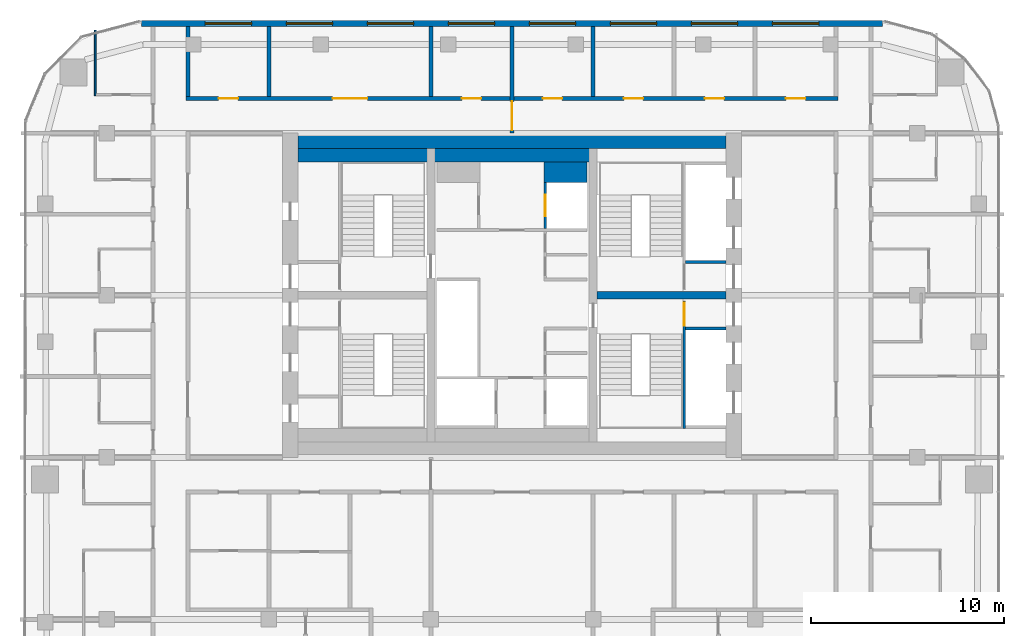
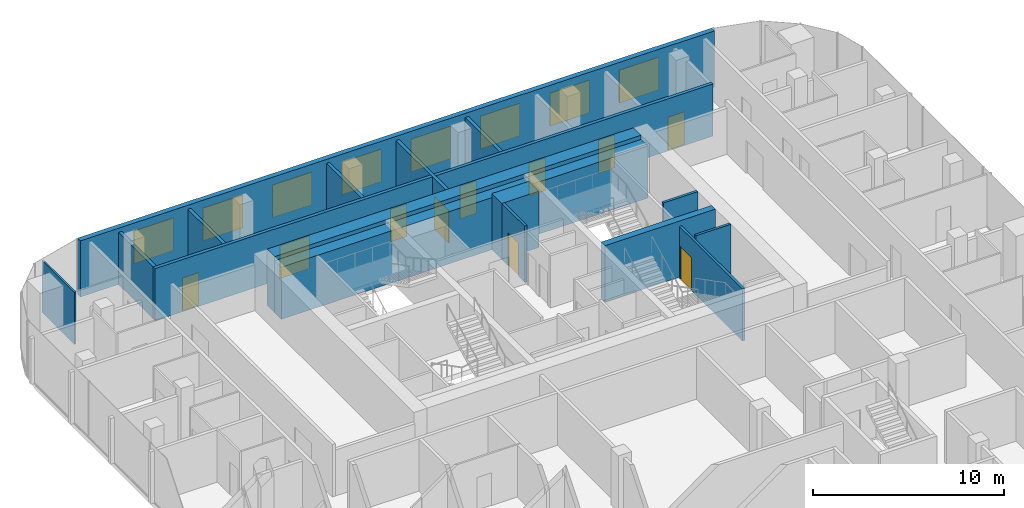
# One storey, part 19 of 22: 16 walls, 10 doors, 8 windows, 18 openings.
"""IFC4 building model written with IfcOpenShell, lengths in metres."""

import ifcopenshell
import ifcopenshell.guid

model = None  # the IFC model being written
_history = None  # IfcOwnerHistory: only IFC2X3 demands one
_inside = {}  # id of a spatial element -> (the spatial element, [elements in it])
_under = {}  # id of a project, library or spatial element -> (it, [spatial elements below it])
_declared = {}  # id of a project -> (the project, [libraries it declares])
_typed = {}  # id of a type object -> (the type object, [elements of that type])
_made_of = {}  # id of a material, layer set ... -> (it, [elements and type objects made of it])


def new_model(schema):
    """Start an empty IFC model of exactly this schema.

    Asked for "IFC4X3", IfcOpenShell would pick the latest addendum, in which some entities
    have other attributes; the version numbers below select the first issue.
    IFC2X3 requires an IfcOwnerHistory on every rooted entity: one is made here for all.
    """
    global model, _history
    if schema == "IFC4X3":
        model = ifcopenshell.file(schema_version=(4, 3, 0, 0))
    else:
        model = ifcopenshell.file(schema=schema)
    _inside.clear()
    _under.clear()
    _declared.clear()
    _typed.clear()
    _made_of.clear()
    _history = None
    if model.schema == "IFC2X3":
        org = make("IfcOrganization", Name="unknown")
        user = make(
            "IfcPersonAndOrganization",
            ThePerson=make("IfcPerson", FamilyName="unknown"),
            TheOrganization=org,
        )
        app = make(
            "IfcApplication",
            ApplicationDeveloper=org,
            Version="unknown",
            ApplicationFullName="unknown",
            ApplicationIdentifier="unknown",
        )
        _history = make(
            "IfcOwnerHistory",
            OwningUser=user,
            OwningApplication=app,
            ChangeAction="ADDED",
            CreationDate=0,
        )
    return model


def make(cls, **values):
    """One entity of the class cls with the attributes given. An attribute that is None is left unset."""
    return model.create_entity(
        cls, **{name: value for name, value in values.items() if value is not None}
    )


def rooted(cls, **values):
    """An entity with a GlobalId (a new one), such as an element, a storey or a relation."""
    return make(cls, GlobalId=ifcopenshell.guid.new(), OwnerHistory=_history, **values)


def si_unit(unit_type, name, prefix=None):
    """IfcSIUnit, for example si_unit("LENGTHUNIT", "METRE", prefix="MILLI")."""
    return make("IfcSIUnit", UnitType=unit_type, Prefix=prefix, Name=name)


def assignment(units):
    """IfcUnitAssignment: the units of a project."""
    return None if units is None else make("IfcUnitAssignment", Units=units)


def point(xyz):
    """IfcCartesianPoint."""
    return None if xyz is None else make("IfcCartesianPoint", Coordinates=xyz)


def direction(xyz):
    """IfcDirection."""
    return None if xyz is None else make("IfcDirection", DirectionRatios=xyz)


def frame(location, z_axis=None, x_axis=None):
    """IfcAxis2Placement3D, a coordinate frame: its origin and axes. An axis left out is left unset."""
    return make(
        "IfcAxis2Placement3D",
        Location=point(location),
        Axis=direction(z_axis),
        RefDirection=direction(x_axis),
    )


def frame_2d(location, x_axis=None):
    """IfcAxis2Placement2D, a coordinate frame in the plane: its origin and x axis."""
    return make(
        "IfcAxis2Placement2D", Location=point(location), RefDirection=direction(x_axis)
    )


def origin():
    """The frame at (0, 0, 0) with its axes left unset."""
    return frame((0.0, 0.0, 0.0))


def place(relative_to, where):
    """IfcLocalPlacement: puts the frame where relative to a parent placement (None: the world)."""
    return make(
        "IfcLocalPlacement", PlacementRelTo=relative_to, RelativePlacement=where
    )


def context(
    kind, dimensions, precision=None, world=None, true_north=None, identifier=None
):
    """IfcGeometricRepresentationContext, for example the 3D "Model" context."""
    return make(
        "IfcGeometricRepresentationContext",
        ContextIdentifier=identifier,
        ContextType=kind,
        CoordinateSpaceDimension=dimensions,
        Precision=precision,
        WorldCoordinateSystem=world,
        TrueNorth=true_north,
    )


def subcontext(parent, identifier, kind, view, scale=None):
    """IfcGeometricRepresentationSubContext, for example "Body" below "Model"."""
    return make(
        "IfcGeometricRepresentationSubContext",
        ContextIdentifier=identifier,
        ContextType=kind,
        ParentContext=parent,
        TargetScale=scale,
        TargetView=view,
    )


def project(units=None, contexts=None):
    """IfcProject with its units and contexts."""
    return rooted(
        "IfcProject",
        Name="project",
        RepresentationContexts=contexts,
        UnitsInContext=assignment(units),
    )


def spatial(cls, under=None, at=None, **own):
    """A site, building, storey or space (cls), placed at a placement, below another one or the project."""
    s = rooted(cls, ObjectPlacement=at, **own)
    if under is not None:
        _under.setdefault(under.id(), (under, []))[1].append(s)
    return s


def profile(cls, at=None, kind="AREA", **sizes):
    """A parametric profile (cls). Its sizes go by their IFC names, for example OverallWidth=200.0."""
    return make(cls, ProfileType=kind, Position=at, **sizes)


def rectangle(**sizes):
    """IfcRectangleProfileDef."""
    return profile("IfcRectangleProfileDef", **sizes)


def extrude(swept, where, along, depth):
    """IfcExtrudedAreaSolid: the profile swept, set in the frame where, extruded along a direction by depth."""
    return make(
        "IfcExtrudedAreaSolid",
        SweptArea=swept,
        Position=where,
        ExtrudedDirection=direction(along),
        Depth=depth,
    )


def shape(context_of_items, identifier, shape_type, items):
    """IfcShapeRepresentation: the items that make up one representation, for example the "Body"."""
    return make(
        "IfcShapeRepresentation",
        ContextOfItems=context_of_items,
        RepresentationIdentifier=identifier,
        RepresentationType=shape_type,
        Items=items,
    )


def material(Name=None, Category=None):
    """IfcMaterial."""
    return make("IfcMaterial", Name=Name, Category=Category)


def layer(
    of_material, thickness, ventilated=None, Name=None, Category=None, Priority=None
):
    """IfcMaterialLayer: one layer of a wall or slab, of a material (None: an air gap)."""
    return make(
        "IfcMaterialLayer",
        Material=of_material,
        LayerThickness=thickness,
        IsVentilated=ventilated,
        Name=Name,
        Category=Category,
        Priority=Priority,
    )


def layer_set(layers, Name=None):
    """IfcMaterialLayerSet."""
    return make("IfcMaterialLayerSet", MaterialLayers=layers, LayerSetName=Name)


def made_of(thing, what):
    """Note that an element or type object is made of a material, layer set ...; save() writes the relation."""
    if what is not None:
        _made_of.setdefault(what.id(), (what, []))[1].append(thing)
    return thing


def type_object(cls, material=None, **own):
    """A type object (cls), such as IfcWallType, which elements share."""
    return made_of(rooted(cls, **own), material)


def element(
    cls,
    number,
    at=None,
    inside=None,
    cuts=None,
    type_object=None,
    material=None,
    context=None,
    identifier="Body",
    shape_type=None,
    held_by="IfcProductDefinitionShape",
    body=None,
    shapes=None,
    **own,
):
    """One element of the class cls, such as IfcWall. Its Tag is "e" and its number.

    at: its placement. inside: the storey or other place that contains it. cuts: it is an
    opening in that element (IfcRelVoidsElement). A single representation is given by context,
    identifier, shape_type and body (its items); several are given by shapes. held_by: the class
    of the entity that holds the representations. save() writes the other relations.
    """
    e = rooted(cls, Tag="e%d" % number, ObjectPlacement=at, **own)
    if body is not None:
        shapes = [shape(context, identifier, shape_type, body)]
    if shapes is not None:
        e.Representation = make(held_by, Representations=shapes)
    if inside is not None:
        _inside.setdefault(inside.id(), (inside, []))[1].append(e)
    if cuts is not None:
        rooted(
            "IfcRelVoidsElement", RelatingBuildingElement=cuts, RelatedOpeningElement=e
        )
    if type_object is not None:
        _typed.setdefault(type_object.id(), (type_object, []))[1].append(e)
    return made_of(e, material)


def fill(opening, filler):
    """IfcRelFillsElement: the door or window that sits in an opening."""
    return rooted(
        "IfcRelFillsElement",
        RelatingOpeningElement=opening,
        RelatedBuildingElement=filler,
    )


def aggregate(whole, parts):
    """IfcRelAggregates: a whole, such as a stair, and the parts it consists of."""
    return rooted("IfcRelAggregates", RelatingObject=whole, RelatedObjects=parts)


def save(model, path):
    """Write the relations noted so far, then the file.

    IfcRelAggregates (storeys below a building ...), IfcRelContainedInSpatialStructure (elements
    in a storey), IfcRelDefinesByType, IfcRelAssociatesMaterial and IfcRelDeclares: one each for
    every whole, place, type object, material and project.
    """
    for whole, parts in _under.values():
        aggregate(whole, parts)
    for where, things in _inside.values():
        rooted(
            "IfcRelContainedInSpatialStructure",
            RelatedElements=things,
            RelatingStructure=where,
        )
    for kind, things in _typed.values():
        rooted("IfcRelDefinesByType", RelatedObjects=things, RelatingType=kind)
    for what, things in _made_of.values():
        rooted("IfcRelAssociatesMaterial", RelatedObjects=things, RelatingMaterial=what)
    for by, libraries in _declared.values():
        rooted("IfcRelDeclares", RelatingContext=by, RelatedDefinitions=libraries)
    model.write(path)


model = new_model("IFC4")

# Units and contexts
model_context = context("Model", 3, precision=1e-05, world=origin(), true_north=direction((0.0, 1.0)))
body_context = subcontext(model_context, "Body", "Model", "MODEL_VIEW")
ifc_project = project(units=[si_unit("LENGTHUNIT", "METRE"), si_unit("AREAUNIT", "SQUARE_METRE"), si_unit("VOLUMEUNIT", "CUBIC_METRE"), si_unit("PLANEANGLEUNIT", "RADIAN"), si_unit("MASSUNIT", "GRAM", prefix="KILO")], contexts=[model_context])

# Site, building, storey
site_placement = place(None, origin())
site = spatial("IfcSite", under=ifc_project, at=site_placement, CompositionType="ELEMENT")
building_placement = place(site_placement, origin())
building = spatial("IfcBuilding", under=site, at=building_placement, Name="Marenta Gate Hotel Tower", CompositionType="ELEMENT")
storey_placement = place(building_placement, frame((0.0, 0.0, 238.10009765625)))
storey = spatial("IfcBuildingStorey", under=building, at=storey_placement, Name="L56", CompositionType="ELEMENT", Elevation=238.10009765625)

# Wall, openings, windows
ifc_material_1 = material(Name="Concrete C40 board-marked", Category="concrete")
ifc_layer_1 = layer(ifc_material_1, 0.300048828125)
ifc_layer_set_1 = layer_set([ifc_layer_1], Name="Concrete C40 board-marked")
wall_type_1 = type_object("IfcWallType", Name="Board-marked concrete wall 300 mm", PredefinedType="NOTDEFINED", material=ifc_layer_set_1)
wall_1_placement = place(storey_placement, frame((19.205810546875, 22.489990234375, 0.0), z_axis=(0.0, 0.0, 1.0), x_axis=(-1.0, 0.0, 0.0)))
wall_1 = element("IfcWall", 1, at=wall_1_placement, inside=storey, type_object=wall_type_1, Name="L56-CLD-N00", PredefinedType="NOTDEFINED", context=body_context, shape_type="SweptSolid", body=[
    extrude(rectangle(XDim=38.41162109375, YDim=0.300048828125, at=frame_2d((19.205810546875, 0.0))), origin(), (0.0, 0.0, 1.0), 3.599853515625),
])
opening_1_placement = place(wall_1_placement, frame((3.305908203125, 0.0, 0.89990234375)))
opening_1 = element("IfcOpeningElement", 2, at=opening_1_placement, cuts=wall_1, Name="Opening W1", PredefinedType="OPENING", context=body_context, shape_type="SweptSolid", body=[
    extrude(rectangle(XDim=2.39990234375, YDim=2.10009765625, at=frame_2d((1.199951171875, 1.050048828125))), frame((0.0, 0.14990234375, 0.0), z_axis=(0.0, -1.0, 0.0), x_axis=(1.0, 0.0, 0.0)), (0.0, 0.0, 1.0), 0.300048828125),
])
opening_2_placement = place(wall_1_placement, frame((7.505859375, 0.0, 0.89990234375)))
opening_2 = element("IfcOpeningElement", 3, at=opening_2_placement, cuts=wall_1, Name="Opening W1", PredefinedType="OPENING", context=body_context, shape_type="SweptSolid", body=[
    extrude(rectangle(XDim=2.39990234375, YDim=2.10009765625, at=frame_2d((1.199951171875, 1.050048828125))), frame((0.0, 0.14990234375, 0.0), z_axis=(0.0, -1.0, 0.0), x_axis=(1.0, 0.0, 0.0)), (0.0, 0.0, 1.0), 0.300048828125),
])
opening_3_placement = place(wall_1_placement, frame((11.705810546875, 0.0, 0.89990234375)))
opening_3 = element("IfcOpeningElement", 4, at=opening_3_placement, cuts=wall_1, Name="Opening W1", PredefinedType="OPENING", context=body_context, shape_type="SweptSolid", body=[
    extrude(rectangle(XDim=2.39990234375, YDim=2.10009765625, at=frame_2d((1.199951171875, 1.050048828125))), frame((0.0, 0.14990234375, 0.0), z_axis=(0.0, -1.0, 0.0), x_axis=(1.0, 0.0, 0.0)), (0.0, 0.0, 1.0), 0.300048828125),
])
opening_4_placement = place(wall_1_placement, frame((15.906005859375, 0.0, 0.89990234375)))
opening_4 = element("IfcOpeningElement", 5, at=opening_4_placement, cuts=wall_1, Name="Opening W1", PredefinedType="OPENING", context=body_context, shape_type="SweptSolid", body=[
    extrude(rectangle(XDim=2.39990234375, YDim=2.10009765625, at=frame_2d((1.199951171875, 1.050048828125))), frame((0.0, 0.14990234375, 0.0), z_axis=(0.0, -1.0, 0.0), x_axis=(1.0, 0.0, 0.0)), (0.0, 0.0, 1.0), 0.300048828125),
])
opening_5_placement = place(wall_1_placement, frame((20.10595703125, 0.0, 0.89990234375)))
opening_5 = element("IfcOpeningElement", 6, at=opening_5_placement, cuts=wall_1, Name="Opening W1", PredefinedType="OPENING", context=body_context, shape_type="SweptSolid", body=[
    extrude(rectangle(XDim=2.39990234375, YDim=2.10009765625, at=frame_2d((1.199951171875, 1.050048828125))), frame((0.0, 0.14990234375, 0.0), z_axis=(0.0, -1.0, 0.0), x_axis=(1.0, 0.0, 0.0)), (0.0, 0.0, 1.0), 0.300048828125),
])
opening_6_placement = place(wall_1_placement, frame((24.305908203125, 0.0, 0.89990234375)))
opening_6 = element("IfcOpeningElement", 7, at=opening_6_placement, cuts=wall_1, Name="Opening W1", PredefinedType="OPENING", context=body_context, shape_type="SweptSolid", body=[
    extrude(rectangle(XDim=2.39990234375, YDim=2.10009765625, at=frame_2d((1.199951171875, 1.050048828125))), frame((0.0, 0.14990234375, 0.0), z_axis=(0.0, -1.0, 0.0), x_axis=(1.0, 0.0, 0.0)), (0.0, 0.0, 1.0), 0.300048828125),
])
opening_7_placement = place(wall_1_placement, frame((28.505859375, 0.0, 0.89990234375)))
opening_7 = element("IfcOpeningElement", 8, at=opening_7_placement, cuts=wall_1, Name="Opening W1", PredefinedType="OPENING", context=body_context, shape_type="SweptSolid", body=[
    extrude(rectangle(XDim=2.39990234375, YDim=2.10009765625, at=frame_2d((1.199951171875, 1.050048828125))), frame((0.0, 0.14990234375, 0.0), z_axis=(0.0, -1.0, 0.0), x_axis=(1.0, 0.0, 0.0)), (0.0, 0.0, 1.0), 0.300048828125),
])
opening_8_placement = place(wall_1_placement, frame((32.705810546875, 0.0, 0.89990234375)))
opening_8 = element("IfcOpeningElement", 9, at=opening_8_placement, cuts=wall_1, Name="Opening W1", PredefinedType="OPENING", context=body_context, shape_type="SweptSolid", body=[
    extrude(rectangle(XDim=2.39990234375, YDim=2.10009765625, at=frame_2d((1.199951171875, 1.050048828125))), frame((0.0, 0.14990234375, 0.0), z_axis=(0.0, -1.0, 0.0), x_axis=(1.0, 0.0, 0.0)), (0.0, 0.0, 1.0), 0.300048828125),
])
ifc_material_2 = material(Name="Tinted insulated glass in bronze anodised frame", Category="glass")
window_type = type_object("IfcWindowType", Name="Window W1 2400x2100 bronze frame", PartitioningType="SINGLE_PANEL", PredefinedType="WINDOW", material=ifc_material_2)
window_1_placement = place(opening_1_placement, origin())
window_1 = element("IfcWindow", 10, at=window_1_placement, inside=storey, type_object=window_type, Name="Window W1", OverallHeight=2.10009765625, OverallWidth=2.39990234375, PartitioningType="SINGLE_PANEL", PredefinedType="WINDOW", context=body_context, shape_type="SweptSolid", body=[
    extrude(rectangle(XDim=2.39990234375, YDim=2.10009765625, at=frame_2d((1.199951171875, 1.050048828125))), frame((0.0, 0.030029296875, 0.0), z_axis=(0.0, -1.0, 0.0), x_axis=(1.0, 0.0, 0.0)), (0.0, 0.0, 1.0), 0.06005859375),
])
fill(opening_1, window_1)
window_2_placement = place(opening_2_placement, origin())
window_2 = element("IfcWindow", 11, at=window_2_placement, inside=storey, type_object=window_type, Name="Window W1", OverallHeight=2.10009765625, OverallWidth=2.39990234375, PartitioningType="SINGLE_PANEL", PredefinedType="WINDOW", context=body_context, shape_type="SweptSolid", body=[
    extrude(rectangle(XDim=2.39990234375, YDim=2.10009765625, at=frame_2d((1.199951171875, 1.050048828125))), frame((0.0, 0.030029296875, 0.0), z_axis=(0.0, -1.0, 0.0), x_axis=(1.0, 0.0, 0.0)), (0.0, 0.0, 1.0), 0.06005859375),
])
fill(opening_2, window_2)
window_3_placement = place(opening_3_placement, origin())
window_3 = element("IfcWindow", 12, at=window_3_placement, inside=storey, type_object=window_type, Name="Window W1", OverallHeight=2.10009765625, OverallWidth=2.39990234375, PartitioningType="SINGLE_PANEL", PredefinedType="WINDOW", context=body_context, shape_type="SweptSolid", body=[
    extrude(rectangle(XDim=2.39990234375, YDim=2.10009765625, at=frame_2d((1.199951171875, 1.050048828125))), frame((0.0, 0.030029296875, 0.0), z_axis=(0.0, -1.0, 0.0), x_axis=(1.0, 0.0, 0.0)), (0.0, 0.0, 1.0), 0.06005859375),
])
fill(opening_3, window_3)
window_4_placement = place(opening_4_placement, origin())
window_4 = element("IfcWindow", 13, at=window_4_placement, inside=storey, type_object=window_type, Name="Window W1", OverallHeight=2.10009765625, OverallWidth=2.39990234375, PartitioningType="SINGLE_PANEL", PredefinedType="WINDOW", context=body_context, shape_type="SweptSolid", body=[
    extrude(rectangle(XDim=2.39990234375, YDim=2.10009765625, at=frame_2d((1.199951171875, 1.050048828125))), frame((0.0, 0.030029296875, 0.0), z_axis=(0.0, -1.0, 0.0), x_axis=(1.0, 0.0, 0.0)), (0.0, 0.0, 1.0), 0.06005859375),
])
fill(opening_4, window_4)
window_5_placement = place(opening_5_placement, origin())
window_5 = element("IfcWindow", 14, at=window_5_placement, inside=storey, type_object=window_type, Name="Window W1", OverallHeight=2.10009765625, OverallWidth=2.39990234375, PartitioningType="SINGLE_PANEL", PredefinedType="WINDOW", context=body_context, shape_type="SweptSolid", body=[
    extrude(rectangle(XDim=2.39990234375, YDim=2.10009765625, at=frame_2d((1.199951171875, 1.050048828125))), frame((0.0, 0.030029296875, 0.0), z_axis=(0.0, -1.0, 0.0), x_axis=(1.0, 0.0, 0.0)), (0.0, 0.0, 1.0), 0.06005859375),
])
fill(opening_5, window_5)
window_6_placement = place(opening_6_placement, origin())
window_6 = element("IfcWindow", 15, at=window_6_placement, inside=storey, type_object=window_type, Name="Window W1", OverallHeight=2.10009765625, OverallWidth=2.39990234375, PartitioningType="SINGLE_PANEL", PredefinedType="WINDOW", context=body_context, shape_type="SweptSolid", body=[
    extrude(rectangle(XDim=2.39990234375, YDim=2.10009765625, at=frame_2d((1.199951171875, 1.050048828125))), frame((0.0, 0.030029296875, 0.0), z_axis=(0.0, -1.0, 0.0), x_axis=(1.0, 0.0, 0.0)), (0.0, 0.0, 1.0), 0.06005859375),
])
fill(opening_6, window_6)
window_7_placement = place(opening_7_placement, origin())
window_7 = element("IfcWindow", 16, at=window_7_placement, inside=storey, type_object=window_type, Name="Window W1", OverallHeight=2.10009765625, OverallWidth=2.39990234375, PartitioningType="SINGLE_PANEL", PredefinedType="WINDOW", context=body_context, shape_type="SweptSolid", body=[
    extrude(rectangle(XDim=2.39990234375, YDim=2.10009765625, at=frame_2d((1.199951171875, 1.050048828125))), frame((0.0, 0.030029296875, 0.0), z_axis=(0.0, -1.0, 0.0), x_axis=(1.0, 0.0, 0.0)), (0.0, 0.0, 1.0), 0.06005859375),
])
fill(opening_7, window_7)
window_8_placement = place(opening_8_placement, origin())
window_8 = element("IfcWindow", 17, at=window_8_placement, inside=storey, type_object=window_type, Name="Window W1", OverallHeight=2.10009765625, OverallWidth=2.39990234375, PartitioningType="SINGLE_PANEL", PredefinedType="WINDOW", context=body_context, shape_type="SweptSolid", body=[
    extrude(rectangle(XDim=2.39990234375, YDim=2.10009765625, at=frame_2d((1.199951171875, 1.050048828125))), frame((0.0, 0.030029296875, 0.0), z_axis=(0.0, -1.0, 0.0), x_axis=(1.0, 0.0, 0.0)), (0.0, 0.0, 1.0), 0.06005859375),
])
fill(opening_8, window_8)

# Wall, opening, door
ifc_material_3 = material(Name="Concrete blockwork", Category="masonry")
ifc_layer_2 = layer(ifc_material_3, 0.199951171875)
ifc_layer_set_2 = layer_set([ifc_layer_2], Name="Concrete blockwork")
wall_type_2 = type_object("IfcWallType", Name="Compartment wall 200 REI 180", PredefinedType="PARTITIONING", material=ifc_layer_set_2)
wall_2_placement = place(storey_placement, frame((0.0, 16.800048828125, 0.0), z_axis=(0.0, 0.0, 1.0), x_axis=(0.0, 1.0, 0.0)))
wall_2 = element("IfcWall", 18, at=wall_2_placement, inside=storey, type_object=wall_type_2, Name="L56-PTN-W073", PredefinedType="PARTITIONING", context=body_context, shape_type="SweptSolid", body=[
    extrude(rectangle(XDim=5.5400390625, YDim=0.199951171875, at=frame_2d((2.77001953125, 0.0))), origin(), (0.0, 0.0, 1.0), 3.33984375),
])
opening_9_placement = place(wall_2_placement, frame((0.14990234375, 0.0, 0.0)))
opening_9 = element("IfcOpeningElement", 19, at=opening_9_placement, cuts=wall_2, Name="Opening G20-FD1", PredefinedType="OPENING", context=body_context, shape_type="SweptSolid", body=[
    extrude(rectangle(XDim=1.5, YDim=2.10009765625, at=frame_2d((0.75, 1.050048828125))), frame((0.0, 0.10009765625, 0.0), z_axis=(0.0, -1.0, 0.0), x_axis=(1.0, 0.0, 0.0)), (0.0, 0.0, 1.0), 0.199951171875),
])
ifc_material_4 = material(Name="Hollow steel door set", Category="steel")
door_type_1 = type_object("IfcDoorType", Name="Compartment fire door 1500x2100 EI 60", OperationType="DOUBLE_DOOR_DOUBLE_SWING", PredefinedType="DOOR", material=ifc_material_4)
door_1_placement = place(opening_9_placement, origin())
door_1 = element("IfcDoor", 20, at=door_1_placement, inside=storey, type_object=door_type_1, Name="L56-PD-FD01", OperationType="DOUBLE_DOOR_DOUBLE_SWING", OverallHeight=2.10009765625, OverallWidth=1.5, PredefinedType="DOOR", context=body_context, shape_type="SweptSolid", body=[
    extrude(rectangle(XDim=1.5, YDim=2.10009765625, at=frame_2d((0.75, 1.050048828125))), frame((0.0, 0.02490234375, 0.0), z_axis=(0.0, -1.0, 0.0), x_axis=(1.0, 0.0, 0.0)), (0.0, 0.0, 1.0), 0.050048828125),
])
fill(opening_9, door_1)

# Walls
ifc_material_5 = material(Name="Concrete C40", Category="concrete")
ifc_layer_3 = layer(ifc_material_5, 0.699951171875)
ifc_layer_set_3 = layer_set([ifc_layer_3], Name="Concrete C40")
wall_type_3 = type_object("IfcWallType", Name="Core lining wall 700 REI 180", PredefinedType="PARTITIONING", material=ifc_layer_set_3)
wall_3_placement = place(storey_placement, frame((-11.10009765625, 15.64990234375, 0.0), z_axis=(0.0, 0.0, 1.0), x_axis=(1.0, 0.0, 0.0)))
element("IfcWall", 21, at=wall_3_placement, inside=storey, type_object=wall_type_3, Name="L56-CP-LN-N", PredefinedType="PARTITIONING", context=body_context, shape_type="SweptSolid", body=[
    extrude(rectangle(XDim=22.2001953125, YDim=0.699951171875, at=frame_2d((11.10009765625, 0.0))), origin(), (0.0, 0.0, 1.0), 3.33984375),
])
ifc_material_6 = material(Name="Concrete C40", Category="concrete")
ifc_layer_4 = layer(ifc_material_6, 1.050048828125)
ifc_layer_set_4 = layer_set([ifc_layer_4], Name="Concrete C40")
wall_type_4 = type_object("IfcWallType", Name="Core shaft wall 1050 REI 180", PredefinedType="SHEAR", material=ifc_layer_set_4)
wall_4_placement = place(storey_placement, frame((1.64990234375, 14.77490234375, 0.0), z_axis=(0.0, 0.0, 1.0), x_axis=(1.0, 0.0, 0.0)))
element("IfcWall", 22, at=wall_4_placement, inside=storey, type_object=wall_type_4, Name="L56-SHF-CE-N-top", PredefinedType="SHEAR", context=body_context, shape_type="SweptSolid", body=[
    extrude(rectangle(XDim=2.25, YDim=1.050048828125, at=frame_2d((1.125, 0.0))), origin(), (0.0, 0.0, 1.0), 3.599853515625),
])
ifc_material_7 = material(Name="Concrete C40", Category="concrete")
ifc_layer_5 = layer(ifc_material_7, 0.14990234375)
ifc_layer_set_5 = layer_set([ifc_layer_5], Name="Concrete C40")
wall_type_5 = type_object("IfcWallType", Name="Core shaft wall 150 REI 180", PredefinedType="SHEAR", material=ifc_layer_set_5)
for number, where, z_axis, x_axis, name in (
    (23, (9.0, 6.675048828125, 0.0), (0.0, 0.0, 1.0), (1.0, 0.0, 0.0), "L56-SHF-SW-ES-2"),
    (24, (9.0, 10.125, 0.0), (0.0, 0.0, 1.0), (1.0, 0.0, 0.0), "L56-SHF-SW-EN-2"),
):
    element("IfcWall", number, at=place(storey_placement, frame(where, z_axis=z_axis, x_axis=x_axis)), inside=storey, type_object=wall_type_5, Name=name, PredefinedType="SHEAR", context=body_context, shape_type="SweptSolid", body=[
        extrude(rectangle(XDim=2.10009765625, YDim=0.14990234375, at=frame_2d((1.050048828125, 0.0))), origin(), (0.0, 0.0, 1.0), 3.599853515625),
    ])

# Wall, opening, door
wall_5_placement = place(storey_placement, frame((1.72509765625, 11.85009765625, 0.0), z_axis=(0.0, 0.0, 1.0), x_axis=(0.0, 1.0, 0.0)))
wall_5 = element("IfcWall", 25, at=wall_5_placement, inside=storey, type_object=wall_type_5, Name="L56-SHF-CE-N-front2", PredefinedType="SHEAR", context=body_context, shape_type="SweptSolid", body=[
    extrude(rectangle(XDim=2.39990234375, YDim=0.14990234375, at=frame_2d((1.199951171875, 0.0))), origin(), (0.0, 0.0, 1.0), 3.599853515625),
])
opening_10_placement = place(wall_5_placement, frame((0.64990234375, 0.0, 0.0)))
opening_10 = element("IfcOpeningElement", 26, at=opening_10_placement, cuts=wall_5, Name="Opening LD-FF2", PredefinedType="OPENING", context=body_context, shape_type="SweptSolid", body=[
    extrude(rectangle(XDim=1.10009765625, YDim=2.10009765625, at=frame_2d((0.550048828125, 1.050048828125))), frame((0.0, 0.074951171875, 0.0), z_axis=(0.0, -1.0, 0.0), x_axis=(1.0, 0.0, 0.0)), (0.0, 0.0, 1.0), 0.14990234375),
])
ifc_material_8 = material(Name="Steel", Category="steel")
door_type_2 = type_object("IfcDoorType", Name="Core lift landing door 1100x2100 E 60", OperationType="SLIDING_TO_LEFT", PredefinedType="DOOR", material=ifc_material_8)
door_2_placement = place(opening_10_placement, origin())
door_2 = element("IfcDoor", 27, at=door_2_placement, inside=storey, type_object=door_type_2, Name="LD-FF2", OperationType="SLIDING_TO_LEFT", OverallHeight=2.10009765625, OverallWidth=1.10009765625, PredefinedType="DOOR", context=body_context, shape_type="SweptSolid", body=[
    extrude(rectangle(XDim=1.10009765625, YDim=2.10009765625, at=frame_2d((0.550048828125, 1.050048828125))), frame((0.0, 0.02490234375, 0.0), z_axis=(0.0, -1.0, 0.0), x_axis=(1.0, 0.0, 0.0)), (0.0, 0.0, 1.0), 0.050048828125),
])
fill(opening_10, door_2)

ifc_material_9 = material(Name="Concrete C40", Category="concrete")
ifc_layer_6 = layer(ifc_material_9, 0.14990234375)
ifc_layer_set_6 = layer_set([ifc_layer_6], Name="Concrete C40")
wall_type_6 = type_object("IfcWallType", Name="Core stair enclosure wall 150 REI 180", PredefinedType="SHEAR", material=ifc_layer_set_6)
wall_6_placement = place(storey_placement, frame((8.925048828125, 1.5, 0.0), z_axis=(0.0, 0.0, 1.0), x_axis=(0.0, 1.0, 0.0)))
wall_6 = element("IfcWall", 28, at=wall_6_placement, inside=storey, type_object=wall_type_6, Name="L56-SHF-SW-ES-3", PredefinedType="SHEAR", context=body_context, shape_type="SweptSolid", body=[
    extrude(rectangle(XDim=6.60009765625, YDim=0.14990234375, at=frame_2d((3.300048828125, 0.0))), origin(), (0.0, 0.0, 1.0), 3.33984375),
])
opening_11_placement = place(wall_6_placement, frame((5.324951171875, 0.0, 0.0)))
opening_11 = element("IfcOpeningElement", 29, at=opening_11_placement, cuts=wall_6, Name="Opening SD-ES", PredefinedType="OPENING", context=body_context, shape_type="SweptSolid", body=[
    extrude(rectangle(XDim=1.199951171875, YDim=2.10009765625, at=frame_2d((0.60009765625, 1.050048828125))), frame((0.0, 0.074951171875, 0.0), z_axis=(0.0, -1.0, 0.0), x_axis=(1.0, 0.0, 0.0)), (0.0, 0.0, 1.0), 0.14990234375),
])
ifc_material_10 = material(Name="Steel", Category="steel")
door_type_3 = type_object("IfcDoorType", Name="Core stair door 1200x2100 FD60", OperationType="SINGLE_SWING_LEFT", PredefinedType="DOOR", material=ifc_material_10)
door_3_placement = place(opening_11_placement, origin())
door_3 = element("IfcDoor", 30, at=door_3_placement, inside=storey, type_object=door_type_3, Name="SD-ES", OperationType="SINGLE_SWING_LEFT", OverallHeight=2.10009765625, OverallWidth=1.199951171875, PredefinedType="DOOR", context=body_context, shape_type="SweptSolid", body=[
    extrude(rectangle(XDim=1.199951171875, YDim=2.10009765625, at=frame_2d((0.60009765625, 1.050048828125))), frame((0.0, 0.02490234375, 0.0), z_axis=(0.0, -1.0, 0.0), x_axis=(1.0, 0.0, 0.0)), (0.0, 0.0, 1.0), 0.050048828125),
])
fill(opening_11, door_3)

# Walls
ifc_material_11 = material(Name="Concrete C60", Category="concrete")
ifc_layer_7 = layer(ifc_material_11, 0.800048828125)
ifc_layer_set_7 = layer_set([ifc_layer_7], Name="Concrete C60")
wall_type_7 = type_object("IfcWallType", Name="Core wall 800 C60", PredefinedType="SHEAR", material=ifc_layer_set_7)
wall_7_placement = place(storey_placement, frame((-11.10009765625, 16.39990234375, 0.0), z_axis=(0.0, 0.0, 1.0), x_axis=(1.0, 0.0, 0.0)))
element("IfcWall", 31, at=wall_7_placement, inside=storey, type_object=wall_type_7, Name="L56-CORE-N", PredefinedType="SHEAR", context=body_context, shape_type="SweptSolid", body=[
    extrude(rectangle(XDim=22.2001953125, YDim=0.800048828125, at=frame_2d((11.10009765625, 0.0))), origin(), (0.0, 0.0, 1.0), 3.599853515625),
])
ifc_material_12 = material(Name="Concrete C60", Category="concrete")
ifc_layer_8 = layer(ifc_material_12, 0.39990234375)
ifc_layer_set_8 = layer_set([ifc_layer_8], Name="Concrete C60")
wall_type_8 = type_object("IfcWallType", Name="Core web 400 C60", PredefinedType="SHEAR", material=ifc_layer_set_8)
wall_8_placement = place(storey_placement, frame((4.39990234375, 8.39990234375, 0.0), z_axis=(0.0, 0.0, 1.0), x_axis=(1.0, 0.0, 0.0)))
element("IfcWall", 32, at=wall_8_placement, inside=storey, type_object=wall_type_8, Name="L56-CORE-W4", PredefinedType="SHEAR", context=body_context, shape_type="SweptSolid", body=[
    extrude(rectangle(XDim=6.7001953125, YDim=0.39990234375, at=frame_2d((3.35009765625, 0.0))), origin(), (0.0, 0.0, 1.0), 3.599853515625),
])
ifc_material_13 = material(Name="Gypsum board on steel stud", Category="steel")
ifc_layer_9 = layer(ifc_material_13, 0.199951171875)
ifc_layer_set_9 = layer_set([ifc_layer_9], Name="Gypsum board on steel stud")
wall_type_9 = type_object("IfcWallType", Name="Room corridor wall 200 EI 60", PredefinedType="PARTITIONING", material=ifc_layer_set_9)
wall_9_placement = place(storey_placement, frame((-16.800048828125, 18.699951171875, 0.0), z_axis=(0.0, 0.0, 1.0), x_axis=(0.0, 1.0, 0.0)))
element("IfcWall", 33, at=wall_9_placement, inside=storey, type_object=wall_type_9, Name="L56-PTN-W110", PredefinedType="PARTITIONING", context=body_context, shape_type="SweptSolid", body=[
    extrude(rectangle(XDim=3.64013671875, YDim=0.199951171875, at=frame_2d((1.820068359375, 0.0))), origin(), (0.0, 0.0, 1.0), 3.33984375),
])

# Wall, openings, doors
wall_10_placement = place(storey_placement, frame((-16.89990234375, 18.60009765625, 0.0), z_axis=(0.0, 0.0, 1.0), x_axis=(1.0, 0.0, 0.0)))
wall_10 = element("IfcWall", 34, at=wall_10_placement, inside=storey, type_object=wall_type_9, Name="L56-PTN-W114", PredefinedType="PARTITIONING", context=body_context, shape_type="SweptSolid", body=[
    extrude(rectangle(XDim=33.7998046875, YDim=0.199951171875, at=frame_2d((16.89990234375, 0.0))), origin(), (0.0, 0.0, 1.0), 3.33984375),
])
opening_12_placement = place(wall_10_placement, frame((1.699951171875, 0.0, 0.0)))
opening_12 = element("IfcOpeningElement", 35, at=opening_12_placement, cuts=wall_10, Name="Opening G20-35", PredefinedType="OPENING", context=body_context, shape_type="SweptSolid", body=[
    extrude(rectangle(XDim=1.0, YDim=2.10009765625, at=frame_2d((0.5, 1.050048828125))), frame((0.0, 0.10009765625, 0.0), z_axis=(0.0, -1.0, 0.0), x_axis=(1.0, 0.0, 0.0)), (0.0, 0.0, 1.0), 0.199951171875),
])
opening_13_placement = place(wall_10_placement, frame((7.60009765625, 0.0, 0.0)))
opening_13 = element("IfcOpeningElement", 36, at=opening_13_placement, cuts=wall_10, Name="Opening G20-36", PredefinedType="OPENING", context=body_context, shape_type="SweptSolid", body=[
    extrude(rectangle(XDim=1.800048828125, YDim=2.10009765625, at=frame_2d((0.89990234375, 1.050048828125))), frame((0.0, 0.10009765625, 0.0), z_axis=(0.0, -1.0, 0.0), x_axis=(1.0, 0.0, 0.0)), (0.0, 0.0, 1.0), 0.199951171875),
])
opening_14_placement = place(wall_10_placement, frame((31.10009765625, 0.0, 0.0)))
opening_14 = element("IfcOpeningElement", 37, at=opening_14_placement, cuts=wall_10, Name="Opening G20-37", PredefinedType="OPENING", context=body_context, shape_type="SweptSolid", body=[
    extrude(rectangle(XDim=1.0, YDim=2.10009765625, at=frame_2d((0.5, 1.050048828125))), frame((0.0, 0.10009765625, 0.0), z_axis=(0.0, -1.0, 0.0), x_axis=(1.0, 0.0, 0.0)), (0.0, 0.0, 1.0), 0.199951171875),
])
opening_15_placement = place(wall_10_placement, frame((22.699951171875, 0.0, 0.0)))
opening_15 = element("IfcOpeningElement", 38, at=opening_15_placement, cuts=wall_10, Name="Opening G20-74", PredefinedType="OPENING", context=body_context, shape_type="SweptSolid", body=[
    extrude(rectangle(XDim=1.0, YDim=2.10009765625, at=frame_2d((0.5, 1.050048828125))), frame((0.0, 0.10009765625, 0.0), z_axis=(0.0, -1.0, 0.0), x_axis=(1.0, 0.0, 0.0)), (0.0, 0.0, 1.0), 0.199951171875),
])
opening_16_placement = place(wall_10_placement, frame((26.89990234375, 0.0, 0.0)))
opening_16 = element("IfcOpeningElement", 39, at=opening_16_placement, cuts=wall_10, Name="Opening G20-75", PredefinedType="OPENING", context=body_context, shape_type="SweptSolid", body=[
    extrude(rectangle(XDim=1.0, YDim=2.10009765625, at=frame_2d((0.5, 1.050048828125))), frame((0.0, 0.10009765625, 0.0), z_axis=(0.0, -1.0, 0.0), x_axis=(1.0, 0.0, 0.0)), (0.0, 0.0, 1.0), 0.199951171875),
])
opening_17_placement = place(wall_10_placement, frame((14.300048828125, 0.0, 0.0)))
opening_17 = element("IfcOpeningElement", 40, at=opening_17_placement, cuts=wall_10, Name="Opening G20-76", PredefinedType="OPENING", context=body_context, shape_type="SweptSolid", body=[
    extrude(rectangle(XDim=1.0, YDim=2.10009765625, at=frame_2d((0.5, 1.050048828125))), frame((0.0, 0.10009765625, 0.0), z_axis=(0.0, -1.0, 0.0), x_axis=(1.0, 0.0, 0.0)), (0.0, 0.0, 1.0), 0.199951171875),
])
opening_18_placement = place(wall_10_placement, frame((18.5, 0.0, 0.0)))
opening_18 = element("IfcOpeningElement", 41, at=opening_18_placement, cuts=wall_10, Name="Opening G20-77", PredefinedType="OPENING", context=body_context, shape_type="SweptSolid", body=[
    extrude(rectangle(XDim=1.0, YDim=2.10009765625, at=frame_2d((0.5, 1.050048828125))), frame((0.0, 0.10009765625, 0.0), z_axis=(0.0, -1.0, 0.0), x_axis=(1.0, 0.0, 0.0)), (0.0, 0.0, 1.0), 0.199951171875),
])
ifc_material_14 = material(Name="Timber door leaf", Category="wood")
door_type_4 = type_object("IfcDoorType", Name="Room amenity door 1000x2100 EI 30", OperationType="NOTDEFINED", PredefinedType="DOOR", material=ifc_material_14)
door_4_placement = place(opening_12_placement, origin())
door_4 = element("IfcDoor", 42, at=door_4_placement, inside=storey, type_object=door_type_4, Name="L56-PD-D035", OperationType="SINGLE_SWING_LEFT", OverallHeight=2.10009765625, OverallWidth=1.0, PredefinedType="DOOR", context=body_context, shape_type="SweptSolid", body=[
    extrude(rectangle(XDim=1.0, YDim=2.10009765625, at=frame_2d((0.5, 1.050048828125))), frame((0.0, 0.02490234375, 0.0), z_axis=(0.0, -1.0, 0.0), x_axis=(1.0, 0.0, 0.0)), (0.0, 0.0, 1.0), 0.050048828125),
])
fill(opening_12, door_4)
door_5_placement = place(opening_14_placement, origin())
door_5 = element("IfcDoor", 43, at=door_5_placement, inside=storey, type_object=door_type_4, Name="L56-PD-D037", OperationType="SINGLE_SWING_LEFT", OverallHeight=2.10009765625, OverallWidth=1.0, PredefinedType="DOOR", context=body_context, shape_type="SweptSolid", body=[
    extrude(rectangle(XDim=1.0, YDim=2.10009765625, at=frame_2d((0.5, 1.050048828125))), frame((0.0, 0.02490234375, 0.0), z_axis=(0.0, -1.0, 0.0), x_axis=(1.0, 0.0, 0.0)), (0.0, 0.0, 1.0), 0.050048828125),
])
fill(opening_14, door_5)
door_6_placement = place(opening_15_placement, origin())
door_6 = element("IfcDoor", 44, at=door_6_placement, inside=storey, type_object=door_type_4, Name="L56-PD-D074", OperationType="SINGLE_SWING_RIGHT", OverallHeight=2.10009765625, OverallWidth=1.0, PredefinedType="DOOR", context=body_context, shape_type="SweptSolid", body=[
    extrude(rectangle(XDim=1.0, YDim=2.10009765625, at=frame_2d((0.5, 1.050048828125))), frame((0.0, 0.02490234375, 0.0), z_axis=(0.0, -1.0, 0.0), x_axis=(1.0, 0.0, 0.0)), (0.0, 0.0, 1.0), 0.050048828125),
])
fill(opening_15, door_6)
door_7_placement = place(opening_16_placement, origin())
door_7 = element("IfcDoor", 45, at=door_7_placement, inside=storey, type_object=door_type_4, Name="L56-PD-D075", OperationType="SINGLE_SWING_LEFT", OverallHeight=2.10009765625, OverallWidth=1.0, PredefinedType="DOOR", context=body_context, shape_type="SweptSolid", body=[
    extrude(rectangle(XDim=1.0, YDim=2.10009765625, at=frame_2d((0.5, 1.050048828125))), frame((0.0, 0.02490234375, 0.0), z_axis=(0.0, -1.0, 0.0), x_axis=(1.0, 0.0, 0.0)), (0.0, 0.0, 1.0), 0.050048828125),
])
fill(opening_16, door_7)
door_8_placement = place(opening_17_placement, origin())
door_8 = element("IfcDoor", 46, at=door_8_placement, inside=storey, type_object=door_type_4, Name="L56-PD-D076", OperationType="SINGLE_SWING_RIGHT", OverallHeight=2.10009765625, OverallWidth=1.0, PredefinedType="DOOR", context=body_context, shape_type="SweptSolid", body=[
    extrude(rectangle(XDim=1.0, YDim=2.10009765625, at=frame_2d((0.5, 1.050048828125))), frame((0.0, 0.02490234375, 0.0), z_axis=(0.0, -1.0, 0.0), x_axis=(1.0, 0.0, 0.0)), (0.0, 0.0, 1.0), 0.050048828125),
])
fill(opening_17, door_8)
door_9_placement = place(opening_18_placement, origin())
door_9 = element("IfcDoor", 47, at=door_9_placement, inside=storey, type_object=door_type_4, Name="L56-PD-D077", OperationType="SINGLE_SWING_LEFT", OverallHeight=2.10009765625, OverallWidth=1.0, PredefinedType="DOOR", context=body_context, shape_type="SweptSolid", body=[
    extrude(rectangle(XDim=1.0, YDim=2.10009765625, at=frame_2d((0.5, 1.050048828125))), frame((0.0, 0.02490234375, 0.0), z_axis=(0.0, -1.0, 0.0), x_axis=(1.0, 0.0, 0.0)), (0.0, 0.0, 1.0), 0.050048828125),
])
fill(opening_18, door_9)
ifc_material_15 = material(Name="Timber door leaf", Category="wood")
door_type_5 = type_object("IfcDoorType", Name="Room amenity door 1800x2100 EI 30", OperationType="DOUBLE_DOOR_SINGLE_SWING", PredefinedType="DOOR", material=ifc_material_15)
door_10_placement = place(opening_13_placement, origin())
door_10 = element("IfcDoor", 48, at=door_10_placement, inside=storey, type_object=door_type_5, Name="L56-PD-D036", OperationType="DOUBLE_DOOR_SINGLE_SWING", OverallHeight=2.10009765625, OverallWidth=1.800048828125, PredefinedType="DOOR", context=body_context, shape_type="SweptSolid", body=[
    extrude(rectangle(XDim=1.800048828125, YDim=2.10009765625, at=frame_2d((0.89990234375, 1.050048828125))), frame((0.0, 0.02490234375, 0.0), z_axis=(0.0, -1.0, 0.0), x_axis=(1.0, 0.0, 0.0)), (0.0, 0.0, 1.0), 0.050048828125),
])
fill(opening_13, door_10)

# Walls
ifc_material_16 = material(Name="Gypsum board on steel stud", Category="steel")
ifc_layer_10 = layer(ifc_material_16, 0.10009765625)
ifc_layer_set_10 = layer_set([ifc_layer_10], Name="Gypsum board on steel stud")
wall_type_10 = type_object("IfcWallType", Name="Room partition 100", PredefinedType="PARTITIONING", material=ifc_layer_set_10)
wall_11_placement = place(storey_placement, frame((-21.60009765625, 18.75, 0.0), z_axis=(0.0, 0.0, 1.0), x_axis=(0.0, 1.0, 0.0)))
element("IfcWall", 49, at=wall_11_placement, inside=storey, type_object=wall_type_10, Name="L56-PTN-W122", PredefinedType="PARTITIONING", context=body_context, shape_type="SweptSolid", body=[
    extrude(rectangle(XDim=3.39501953125, YDim=0.10009765625, at=frame_2d((1.697509765625, 0.0))), origin(), (0.0, 0.0, 1.0), 3.33984375),
])
ifc_material_17 = material(Name="Gypsum board on steel stud", Category="steel")
ifc_layer_11 = layer(ifc_material_17, 0.199951171875)
ifc_layer_set_11 = layer_set([ifc_layer_11], Name="Gypsum board on steel stud")
wall_type_11 = type_object("IfcWallType", Name="Room party wall 200 EI 60", PredefinedType="PARTITIONING", material=ifc_layer_set_11)
for number, where, z_axis, x_axis, name in (
    (50, (4.199951171875, 18.699951171875, 0.0), (0.0, 0.0, 1.0), (0.0, 1.0, 0.0), "L56-PTN-W066"),
    (51, (-4.199951171875, 18.699951171875, 0.0), (0.0, 0.0, 1.0), (0.0, 1.0, 0.0), "L56-PTN-W081"),
    (52, (-12.60009765625, 18.699951171875, 0.0), (0.0, 0.0, 1.0), (0.0, 1.0, 0.0), "L56-PTN-W100"),
):
    element("IfcWall", number, at=place(storey_placement, frame(where, z_axis=z_axis, x_axis=x_axis)), inside=storey, type_object=wall_type_11, Name=name, PredefinedType="PARTITIONING", context=body_context, shape_type="SweptSolid", body=[
        extrude(rectangle(XDim=3.64013671875, YDim=0.199951171875, at=frame_2d((1.820068359375, 0.0))), origin(), (0.0, 0.0, 1.0), 3.33984375),
    ])

save(model, "model.ifc")
